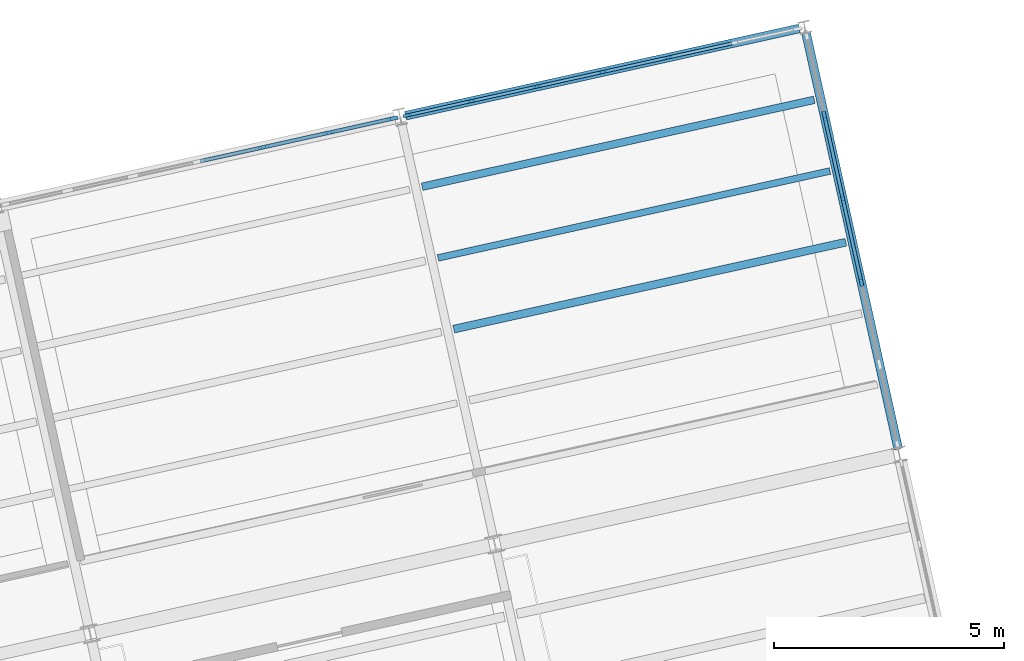
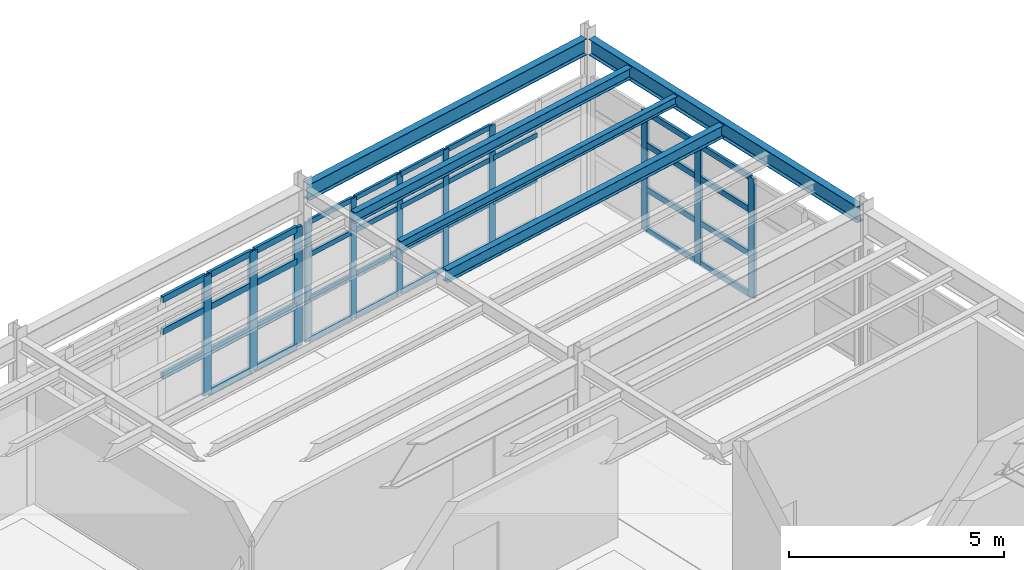
# One storey, part 31 of 59: 49 members, 5 beams, 3 elements without a shape of their own.
"""IFC4 building model written with IfcOpenShell, lengths in metres."""

from ifc_helpers import new_model, si_unit, direction, frame, origin, origin_2d, place, context, subcontext, project, spatial, rectangle, i_section, extrude, material, layer, layer_set, material_profile, profile_set, type_object, element, aggregate, save


model = new_model("IFC4")

# Units and contexts
model_context = context("Model", 3, precision=1e-05, world=origin(), true_north=direction((0.0, 1.0)))
body_context = subcontext(model_context, "Body", "Model", "MODEL_VIEW")
ifc_project = project(units=[si_unit("LENGTHUNIT", "METRE"), si_unit("AREAUNIT", "SQUARE_METRE"), si_unit("VOLUMEUNIT", "CUBIC_METRE"), si_unit("PLANEANGLEUNIT", "RADIAN"), si_unit("MASSUNIT", "GRAM", prefix="KILO")], contexts=[model_context])

# Site, building, storey
site_placement = place(None, origin())
site = spatial("IfcSite", under=ifc_project, at=site_placement, CompositionType="ELEMENT")
building_placement = place(site_placement, origin())
building = spatial("IfcBuilding", under=site, at=building_placement, Name="Vireo Bluff Cable Station", CompositionType="ELEMENT")
storey_placement = place(building_placement, frame((0.0, 0.0, 14.39990234375)))
storey = spatial("IfcBuildingStorey", under=building, at=storey_placement, Name="L03", CompositionType="ELEMENT", Elevation=14.39990234375)

# Curtain wall, members
ifc_material_1 = material(Name="Anodized Aluminium 6063-T6", Category="aluminium")
ifc_layer_1 = layer(ifc_material_1, 0.179931640625, Name="Anodized Aluminium 6063-T6")
ifc_layer_set_1 = layer_set([ifc_layer_1], Name="Anodized Aluminium 6063-T6")
curtain_wall_type_1 = type_object("IfcCurtainWallType", Name="CW-UNIT-1500", PredefinedType="USERDEFINED", material=ifc_layer_set_1)
curtain_wall_1_placement = place(storey_placement, origin())
curtain_wall_1 = element("IfcCurtainWall", 1, at=curtain_wall_1_placement, inside=storey, type_object=curtain_wall_type_1, Name="V2 L03 north curtain wall CW-064", ObjectType="UNITISED CURTAIN WALL", PredefinedType="USERDEFINED")
ifc_material_profile_1 = material_profile(ifc_material_1, rectangle(XDim=0.06494140625, YDim=0.179931640625, at=origin_2d()), Name="ALU-M-65X180")
ifc_profile_set_1 = profile_set([ifc_material_profile_1], Name="Anodized Aluminium 6063-T6")
member_type_1 = type_object("IfcMemberType", Name="CWM-01", PredefinedType="MULLION", material=ifc_profile_set_1)
member_1_placement = place(storey_placement, frame((146.34912109375, 107.703369140625, 0.0), z_axis=(0.0, 0.0, 1.0), x_axis=(-0.216439656264, 0.976295997736, 0.0)))
member_1 = element("IfcMember", 2, at=member_1_placement, type_object=member_type_1, Name="CW-064 mullion 1", PredefinedType="MULLION", context=body_context, shape_type="SweptSolid", body=[
    extrude(rectangle(XDim=0.06494140625, YDim=0.179931640625, at=origin_2d()), origin(), (0.0, 0.0, 1.0), 3.400146484375),
])
member_2_placement = place(storey_placement, frame((147.73974609375, 108.011474609375, 0.0), z_axis=(0.0, 0.0, 1.0), x_axis=(-0.216439656264, 0.976295997736, 0.0)))
member_2 = element("IfcMember", 3, at=member_2_placement, type_object=member_type_1, Name="CW-064 mullion 2", PredefinedType="MULLION", context=body_context, shape_type="SweptSolid", body=[
    extrude(rectangle(XDim=0.06494140625, YDim=0.179931640625, at=origin_2d()), origin(), (0.0, 0.0, 1.0), 3.400146484375),
])
member_3_placement = place(storey_placement, frame((149.161865234375, 108.326904296875, 0.0), z_axis=(0.0, 0.0, 1.0), x_axis=(-0.216439656264, 0.976295997736, 0.0)))
member_3 = element("IfcMember", 4, at=member_3_placement, type_object=member_type_1, Name="CW-064 mullion 3", PredefinedType="MULLION", context=body_context, shape_type="SweptSolid", body=[
    extrude(rectangle(XDim=0.06494140625, YDim=0.179931640625, at=origin_2d()), origin(), (0.0, 0.0, 1.0), 3.400146484375),
])
member_4_placement = place(storey_placement, frame((150.583984375, 108.64208984375, 0.0), z_axis=(0.0, 0.0, 1.0), x_axis=(-0.216439656264, 0.976295997736, 0.0)))
member_4 = element("IfcMember", 5, at=member_4_placement, type_object=member_type_1, Name="CW-064 mullion 4", PredefinedType="MULLION", context=body_context, shape_type="SweptSolid", body=[
    extrude(rectangle(XDim=0.06494140625, YDim=0.179931640625, at=origin_2d()), origin(), (0.0, 0.0, 1.0), 3.400146484375),
])
member_5_placement = place(storey_placement, frame((152.00634765625, 108.95751953125, 0.0), z_axis=(0.0, 0.0, 1.0), x_axis=(-0.216439656264, 0.976295997736, 0.0)))
member_5 = element("IfcMember", 6, at=member_5_placement, type_object=member_type_1, Name="CW-064 mullion 5", PredefinedType="MULLION", context=body_context, shape_type="SweptSolid", body=[
    extrude(rectangle(XDim=0.06494140625, YDim=0.179931640625, at=origin_2d()), origin(), (0.0, 0.0, 1.0), 3.400146484375),
])

ifc_layer_2 = layer(ifc_material_1, 0.159912109375, Name="Anodized Aluminium 6063-T6")
ifc_layer_set_2 = layer_set([ifc_layer_2], Name="Anodized Aluminium 6063-T6")
curtain_wall_type_2 = type_object("IfcCurtainWallType", Name="CW-STICK-1850", PredefinedType="USERDEFINED", material=ifc_layer_set_2)
curtain_wall_2_placement = place(storey_placement, origin())
curtain_wall_2 = element("IfcCurtainWall", 7, at=curtain_wall_2_placement, inside=storey, type_object=curtain_wall_type_2, Name="V2 L03 east curtain wall CW-065", ObjectType="STICK CURTAIN WALL", PredefinedType="USERDEFINED")
ifc_material_profile_2 = material_profile(ifc_material_1, rectangle(XDim=0.074951171875, YDim=0.2099609375, at=origin_2d()), Name="ALU-M-75X210")
ifc_profile_set_2 = profile_set([ifc_material_profile_2], Name="Anodized Aluminium 6063-T6")
member_type_2 = type_object("IfcMemberType", Name="CWM-02", PredefinedType="MULLION", material=ifc_profile_set_2)
member_6_placement = place(storey_placement, frame((155.40576171875, 107.687744140625, 0.0), z_axis=(0.0, 0.0, 1.0), x_axis=(0.97629601826, 0.216439563688, 0.0)))
member_6 = element("IfcMember", 8, at=member_6_placement, type_object=member_type_2, Name="CW-065 mullion 2", PredefinedType="MULLION", context=body_context, shape_type="SweptSolid", body=[
    extrude(rectangle(XDim=0.074951171875, YDim=0.2099609375, at=origin_2d()), origin(), (0.0, 0.0, 1.0), 3.400146484375),
])
member_7_placement = place(storey_placement, frame((155.80419921875, 105.89013671875, 0.0), z_axis=(0.0, 0.0, 1.0), x_axis=(0.97629601826, 0.216439563688, 0.0)))
member_7 = element("IfcMember", 9, at=member_7_placement, type_object=member_type_2, Name="CW-065 mullion 3", PredefinedType="MULLION", context=body_context, shape_type="SweptSolid", body=[
    extrude(rectangle(XDim=0.074951171875, YDim=0.2099609375, at=origin_2d()), origin(), (0.0, 0.0, 1.0), 3.400146484375),
])
member_8_placement = place(storey_placement, frame((156.20263671875, 104.092529296875, 0.0), z_axis=(0.0, 0.0, 1.0), x_axis=(0.97629601826, 0.216439563688, 0.0)))
member_8 = element("IfcMember", 10, at=member_8_placement, type_object=member_type_2, Name="CW-065 mullion 4", PredefinedType="MULLION", context=body_context, shape_type="SweptSolid", body=[
    extrude(rectangle(XDim=0.074951171875, YDim=0.2099609375, at=origin_2d()), origin(), (0.0, 0.0, 1.0), 3.400146484375),
])

ifc_layer_3 = layer(ifc_material_1, 0.179931640625, Name="Anodized Aluminium 6063-T6")
ifc_layer_set_3 = layer_set([ifc_layer_3], Name="Anodized Aluminium 6063-T6")
curtain_wall_type_3 = type_object("IfcCurtainWallType", Name="CW-UNIT-1400", PredefinedType="USERDEFINED", material=ifc_layer_set_3)
curtain_wall_3_placement = place(storey_placement, origin())
curtain_wall_3 = element("IfcCurtainWall", 11, at=curtain_wall_3_placement, inside=storey, type_object=curtain_wall_type_3, Name="V2 L03 north curtain wall CW-063", ObjectType="UNITISED CURTAIN WALL", PredefinedType="USERDEFINED")
ifc_material_profile_3 = material_profile(ifc_material_1, rectangle(XDim=0.080078125, YDim=0.239990234375, at=origin_2d()), Name="ALU-M-80X240")
ifc_profile_set_3 = profile_set([ifc_material_profile_3], Name="Anodized Aluminium 6063-T6")
member_type_3 = type_object("IfcMemberType", Name="CWM-04", PredefinedType="MULLION", material=ifc_profile_set_3)
member_9_placement = place(storey_placement, frame((143.229248046875, 107.011474609375, 0.0), z_axis=(0.0, 0.0, 1.0), x_axis=(-0.216439560519, 0.976296018963, 0.0)))
member_9 = element("IfcMember", 12, at=member_9_placement, type_object=member_type_3, Name="CW-063 mullion 5", PredefinedType="MULLION", context=body_context, shape_type="SweptSolid", body=[
    extrude(rectangle(XDim=0.080078125, YDim=0.239990234375, at=origin_2d()), origin(), (0.0, 0.0, 1.0), 3.400146484375),
])
member_10_placement = place(storey_placement, frame((144.6474609375, 107.325927734375, 0.0), z_axis=(0.0, 0.0, 1.0), x_axis=(-0.216439560519, 0.976296018963, 0.0)))
member_10 = element("IfcMember", 13, at=member_10_placement, type_object=member_type_3, Name="CW-063 mullion 6", PredefinedType="MULLION", context=body_context, shape_type="SweptSolid", body=[
    extrude(rectangle(XDim=0.080078125, YDim=0.239990234375, at=origin_2d()), origin(), (0.0, 0.0, 1.0), 3.400146484375),
])
member_11_placement = place(storey_placement, frame((146.0263671875, 107.6318359375, 0.0), z_axis=(0.0, 0.0, 1.0), x_axis=(-0.216439560519, 0.976296018963, 0.0)))
member_11 = element("IfcMember", 14, at=member_11_placement, type_object=member_type_3, Name="CW-063 mullion 7", PredefinedType="MULLION", context=body_context, shape_type="SweptSolid", body=[
    extrude(rectangle(XDim=0.080078125, YDim=0.239990234375, at=origin_2d()), origin(), (0.0, 0.0, 1.0), 3.400146484375),
])

# Member
ifc_material_profile_4 = material_profile(ifc_material_1, rectangle(XDim=0.06494140625, YDim=0.139892578125, at=origin_2d()), Name="ALU-T-65X140")
ifc_profile_set_4 = profile_set([ifc_material_profile_4], Name="Anodized Aluminium 6063-T6")
member_type_4 = type_object("IfcMemberType", Name="CWT-01", PredefinedType="USERDEFINED", material=ifc_profile_set_4)
member_12_placement = place(storey_placement, frame((146.380859375, 107.710205078125, 0.03271484375), z_axis=(0.976301023446, 0.216416985514, 0.0), x_axis=(-0.216416985514, 0.976301023446, 0.0)))
member_12 = element("IfcMember", 15, at=member_12_placement, type_object=member_type_4, Name="CW-064 transom 1.1", ObjectType="TRANSOM", PredefinedType="USERDEFINED", context=body_context, shape_type="SweptSolid", body=[
    extrude(rectangle(XDim=0.06494140625, YDim=0.139892578125, at=origin_2d()), origin(), (0.0, 0.0, 1.0), 1.359375),
])

member_13_placement = place(storey_placement, frame((146.380859375, 107.710205078125, 1.190185546875), z_axis=(0.976301023446, 0.216416985514, 0.0), x_axis=(-0.216416985514, 0.976301023446, 0.0)))
member_13 = element("IfcMember", 16, at=member_13_placement, type_object=member_type_4, Name="CW-064 transom 1.2", ObjectType="TRANSOM", PredefinedType="USERDEFINED", context=body_context, shape_type="SweptSolid", body=[
    extrude(rectangle(XDim=0.06494140625, YDim=0.139892578125, at=origin_2d()), origin(), (0.0, 0.0, 1.0), 1.359375),
])

member_14_placement = place(storey_placement, frame((146.380859375, 107.710205078125, 2.447998046875), z_axis=(0.976301023446, 0.216416985514, 0.0), x_axis=(-0.216416985514, 0.976301023446, 0.0)))
member_14 = element("IfcMember", 17, at=member_14_placement, type_object=member_type_4, Name="CW-064 transom 1.3", ObjectType="TRANSOM", PredefinedType="USERDEFINED", context=body_context, shape_type="SweptSolid", body=[
    extrude(rectangle(XDim=0.06494140625, YDim=0.139892578125, at=origin_2d()), origin(), (0.0, 0.0, 1.0), 1.359375),
])

member_15_placement = place(storey_placement, frame((146.380859375, 107.710205078125, 3.36767578125), z_axis=(0.976301023446, 0.216416985514, 0.0), x_axis=(-0.216416985514, 0.976301023446, 0.0)))
member_15 = element("IfcMember", 18, at=member_15_placement, type_object=member_type_4, Name="CW-064 transom 1.4", ObjectType="TRANSOM", PredefinedType="USERDEFINED", context=body_context, shape_type="SweptSolid", body=[
    extrude(rectangle(XDim=0.06494140625, YDim=0.139892578125, at=origin_2d()), origin(), (0.0, 0.0, 1.0), 1.359375),
])

member_16_placement = place(storey_placement, frame((147.771240234375, 108.0185546875, 0.03271484375), z_axis=(0.976294246247, 0.21644755657, 0.0), x_axis=(-0.21644755657, 0.976294246247, 0.0)))
member_16 = element("IfcMember", 19, at=member_16_placement, type_object=member_type_4, Name="CW-064 transom 2.1", ObjectType="TRANSOM", PredefinedType="USERDEFINED", context=body_context, shape_type="SweptSolid", body=[
    extrude(rectangle(XDim=0.06494140625, YDim=0.139892578125, at=origin_2d()), origin(), (0.0, 0.0, 1.0), 1.391845703125),
])

member_17_placement = place(storey_placement, frame((147.771240234375, 108.0185546875, 1.190185546875), z_axis=(0.976294246247, 0.21644755657, 0.0), x_axis=(-0.21644755657, 0.976294246247, 0.0)))
member_17 = element("IfcMember", 20, at=member_17_placement, type_object=member_type_4, Name="CW-064 transom 2.2", ObjectType="TRANSOM", PredefinedType="USERDEFINED", context=body_context, shape_type="SweptSolid", body=[
    extrude(rectangle(XDim=0.06494140625, YDim=0.139892578125, at=origin_2d()), origin(), (0.0, 0.0, 1.0), 1.391845703125),
])

member_18_placement = place(storey_placement, frame((147.771240234375, 108.0185546875, 2.447998046875), z_axis=(0.976294246247, 0.21644755657, 0.0), x_axis=(-0.21644755657, 0.976294246247, 0.0)))
member_18 = element("IfcMember", 21, at=member_18_placement, type_object=member_type_4, Name="CW-064 transom 2.3", ObjectType="TRANSOM", PredefinedType="USERDEFINED", context=body_context, shape_type="SweptSolid", body=[
    extrude(rectangle(XDim=0.06494140625, YDim=0.139892578125, at=origin_2d()), origin(), (0.0, 0.0, 1.0), 1.391845703125),
])

member_19_placement = place(storey_placement, frame((147.771240234375, 108.0185546875, 3.36767578125), z_axis=(0.976294246247, 0.21644755657, 0.0), x_axis=(-0.21644755657, 0.976294246247, 0.0)))
member_19 = element("IfcMember", 22, at=member_19_placement, type_object=member_type_4, Name="CW-064 transom 2.4", ObjectType="TRANSOM", PredefinedType="USERDEFINED", context=body_context, shape_type="SweptSolid", body=[
    extrude(rectangle(XDim=0.06494140625, YDim=0.139892578125, at=origin_2d()), origin(), (0.0, 0.0, 1.0), 1.391845703125),
])

member_20_placement = place(storey_placement, frame((149.193603515625, 108.333740234375, 0.03271484375), z_axis=(0.976286026575, 0.216484628355, 0.0), x_axis=(-0.216484628355, 0.976286026575, 0.0)))
member_20 = element("IfcMember", 23, at=member_20_placement, type_object=member_type_4, Name="CW-064 transom 3.1", ObjectType="TRANSOM", PredefinedType="USERDEFINED", context=body_context, shape_type="SweptSolid", body=[
    extrude(rectangle(XDim=0.06494140625, YDim=0.139892578125, at=origin_2d()), origin(), (0.0, 0.0, 1.0), 1.3916015625),
])

member_21_placement = place(storey_placement, frame((149.193603515625, 108.333740234375, 1.190185546875), z_axis=(0.976286026575, 0.216484628355, 0.0), x_axis=(-0.216484628355, 0.976286026575, 0.0)))
member_21 = element("IfcMember", 24, at=member_21_placement, type_object=member_type_4, Name="CW-064 transom 3.2", ObjectType="TRANSOM", PredefinedType="USERDEFINED", context=body_context, shape_type="SweptSolid", body=[
    extrude(rectangle(XDim=0.06494140625, YDim=0.139892578125, at=origin_2d()), origin(), (0.0, 0.0, 1.0), 1.3916015625),
])

member_22_placement = place(storey_placement, frame((149.193603515625, 108.333740234375, 2.447998046875), z_axis=(0.976286026575, 0.216484628355, 0.0), x_axis=(-0.216484628355, 0.976286026575, 0.0)))
member_22 = element("IfcMember", 25, at=member_22_placement, type_object=member_type_4, Name="CW-064 transom 3.3", ObjectType="TRANSOM", PredefinedType="USERDEFINED", context=body_context, shape_type="SweptSolid", body=[
    extrude(rectangle(XDim=0.06494140625, YDim=0.139892578125, at=origin_2d()), origin(), (0.0, 0.0, 1.0), 1.3916015625),
])

member_23_placement = place(storey_placement, frame((149.193603515625, 108.333740234375, 3.36767578125), z_axis=(0.976286026575, 0.216484628355, 0.0), x_axis=(-0.216484628355, 0.976286026575, 0.0)))
member_23 = element("IfcMember", 26, at=member_23_placement, type_object=member_type_4, Name="CW-064 transom 3.4", ObjectType="TRANSOM", PredefinedType="USERDEFINED", context=body_context, shape_type="SweptSolid", body=[
    extrude(rectangle(XDim=0.06494140625, YDim=0.139892578125, at=origin_2d()), origin(), (0.0, 0.0, 1.0), 1.3916015625),
])

member_24_placement = place(storey_placement, frame((150.61572265625, 108.649169921875, 0.03271484375), z_axis=(0.976294246247, 0.21644755657, 0.0), x_axis=(-0.21644755657, 0.976294246247, 0.0)))
member_24 = element("IfcMember", 27, at=member_24_placement, type_object=member_type_4, Name="CW-064 transom 4.1", ObjectType="TRANSOM", PredefinedType="USERDEFINED", context=body_context, shape_type="SweptSolid", body=[
    extrude(rectangle(XDim=0.06494140625, YDim=0.139892578125, at=origin_2d()), origin(), (0.0, 0.0, 1.0), 1.391845703125),
])

member_25_placement = place(storey_placement, frame((150.61572265625, 108.649169921875, 1.190185546875), z_axis=(0.976294246247, 0.21644755657, 0.0), x_axis=(-0.21644755657, 0.976294246247, 0.0)))
member_25 = element("IfcMember", 28, at=member_25_placement, type_object=member_type_4, Name="CW-064 transom 4.2", ObjectType="TRANSOM", PredefinedType="USERDEFINED", context=body_context, shape_type="SweptSolid", body=[
    extrude(rectangle(XDim=0.06494140625, YDim=0.139892578125, at=origin_2d()), origin(), (0.0, 0.0, 1.0), 1.391845703125),
])

member_26_placement = place(storey_placement, frame((150.61572265625, 108.649169921875, 2.447998046875), z_axis=(0.976294246247, 0.21644755657, 0.0), x_axis=(-0.21644755657, 0.976294246247, 0.0)))
member_26 = element("IfcMember", 29, at=member_26_placement, type_object=member_type_4, Name="CW-064 transom 4.3", ObjectType="TRANSOM", PredefinedType="USERDEFINED", context=body_context, shape_type="SweptSolid", body=[
    extrude(rectangle(XDim=0.06494140625, YDim=0.139892578125, at=origin_2d()), origin(), (0.0, 0.0, 1.0), 1.391845703125),
])

member_27_placement = place(storey_placement, frame((150.61572265625, 108.649169921875, 3.36767578125), z_axis=(0.976294246247, 0.21644755657, 0.0), x_axis=(-0.21644755657, 0.976294246247, 0.0)))
member_27 = element("IfcMember", 30, at=member_27_placement, type_object=member_type_4, Name="CW-064 transom 4.4", ObjectType="TRANSOM", PredefinedType="USERDEFINED", context=body_context, shape_type="SweptSolid", body=[
    extrude(rectangle(XDim=0.06494140625, YDim=0.139892578125, at=origin_2d()), origin(), (0.0, 0.0, 1.0), 1.391845703125),
])

member_28_placement = place(storey_placement, frame((152.0380859375, 108.96435546875, 0.03271484375), z_axis=(0.976286026575, 0.216484628355, 0.0), x_axis=(-0.216484628355, 0.976286026575, 0.0)))
member_28 = element("IfcMember", 31, at=member_28_placement, type_object=member_type_4, Name="CW-064 transom 5.1", ObjectType="TRANSOM", PredefinedType="USERDEFINED", context=body_context, shape_type="SweptSolid", body=[
    extrude(rectangle(XDim=0.06494140625, YDim=0.139892578125, at=origin_2d()), origin(), (0.0, 0.0, 1.0), 1.3916015625),
])

member_29_placement = place(storey_placement, frame((152.0380859375, 108.96435546875, 1.190185546875), z_axis=(0.976286026575, 0.216484628355, 0.0), x_axis=(-0.216484628355, 0.976286026575, 0.0)))
member_29 = element("IfcMember", 32, at=member_29_placement, type_object=member_type_4, Name="CW-064 transom 5.2", ObjectType="TRANSOM", PredefinedType="USERDEFINED", context=body_context, shape_type="SweptSolid", body=[
    extrude(rectangle(XDim=0.06494140625, YDim=0.139892578125, at=origin_2d()), origin(), (0.0, 0.0, 1.0), 1.3916015625),
])

member_30_placement = place(storey_placement, frame((152.0380859375, 108.96435546875, 2.447998046875), z_axis=(0.976286026575, 0.216484628355, 0.0), x_axis=(-0.216484628355, 0.976286026575, 0.0)))
member_30 = element("IfcMember", 33, at=member_30_placement, type_object=member_type_4, Name="CW-064 transom 5.3", ObjectType="TRANSOM", PredefinedType="USERDEFINED", context=body_context, shape_type="SweptSolid", body=[
    extrude(rectangle(XDim=0.06494140625, YDim=0.139892578125, at=origin_2d()), origin(), (0.0, 0.0, 1.0), 1.3916015625),
])

aggregate(curtain_wall_1, [member_1, member_2, member_3, member_4, member_5, member_12, member_13, member_14, member_15, member_16, member_17, member_18, member_19, member_20, member_21, member_22, member_23, member_24, member_25, member_26, member_27, member_28, member_29, member_30])

ifc_material_profile_5 = material_profile(ifc_material_1, rectangle(XDim=0.074951171875, YDim=0.159912109375, at=origin_2d()), Name="ALU-T-75X160")
ifc_profile_set_5 = profile_set([ifc_material_profile_5], Name="Anodized Aluminium 6063-T6")
member_type_5 = type_object("IfcMemberType", Name="CWT-02", PredefinedType="USERDEFINED", material=ifc_profile_set_5)
member_31_placement = place(storey_placement, frame((155.413818359375, 107.651123046875, 0.03759765625), z_axis=(0.216462090264, -0.976291023967, 0.0), x_axis=(0.976291023967, 0.216462090264, 0.0)))
member_31 = element("IfcMember", 34, at=member_31_placement, type_object=member_type_5, Name="CW-065 transom 2.1", ObjectType="TRANSOM", PredefinedType="USERDEFINED", context=body_context, shape_type="SweptSolid", body=[
    extrude(rectangle(XDim=0.074951171875, YDim=0.159912109375, at=origin_2d()), origin(), (0.0, 0.0, 1.0), 1.766357421875),
])

member_32_placement = place(storey_placement, frame((155.413818359375, 107.651123046875, 1.190185546875), z_axis=(0.216462090264, -0.976291023967, 0.0), x_axis=(0.976291023967, 0.216462090264, 0.0)))
member_32 = element("IfcMember", 35, at=member_32_placement, type_object=member_type_5, Name="CW-065 transom 2.2", ObjectType="TRANSOM", PredefinedType="USERDEFINED", context=body_context, shape_type="SweptSolid", body=[
    extrude(rectangle(XDim=0.074951171875, YDim=0.159912109375, at=origin_2d()), origin(), (0.0, 0.0, 1.0), 1.766357421875),
])

member_33_placement = place(storey_placement, frame((155.413818359375, 107.651123046875, 2.447998046875), z_axis=(0.216462090264, -0.976291023967, 0.0), x_axis=(0.976291023967, 0.216462090264, 0.0)))
member_33 = element("IfcMember", 36, at=member_33_placement, type_object=member_type_5, Name="CW-065 transom 2.3", ObjectType="TRANSOM", PredefinedType="USERDEFINED", context=body_context, shape_type="SweptSolid", body=[
    extrude(rectangle(XDim=0.074951171875, YDim=0.159912109375, at=origin_2d()), origin(), (0.0, 0.0, 1.0), 1.766357421875),
])

member_34_placement = place(storey_placement, frame((155.413818359375, 107.651123046875, 3.362548828125), z_axis=(0.216462090264, -0.976291023967, 0.0), x_axis=(0.976291023967, 0.216462090264, 0.0)))
member_34 = element("IfcMember", 37, at=member_34_placement, type_object=member_type_5, Name="CW-065 transom 2.4", ObjectType="TRANSOM", PredefinedType="USERDEFINED", context=body_context, shape_type="SweptSolid", body=[
    extrude(rectangle(XDim=0.074951171875, YDim=0.159912109375, at=origin_2d()), origin(), (0.0, 0.0, 1.0), 1.766357421875),
])

member_35_placement = place(storey_placement, frame((155.812255859375, 105.853515625, 0.03759765625), z_axis=(0.216462090264, -0.976291023967, 0.0), x_axis=(0.976291023967, 0.216462090264, 0.0)))
member_35 = element("IfcMember", 38, at=member_35_placement, type_object=member_type_5, Name="CW-065 transom 3.1", ObjectType="TRANSOM", PredefinedType="USERDEFINED", context=body_context, shape_type="SweptSolid", body=[
    extrude(rectangle(XDim=0.074951171875, YDim=0.159912109375, at=origin_2d()), origin(), (0.0, 0.0, 1.0), 1.766357421875),
])

member_36_placement = place(storey_placement, frame((155.812255859375, 105.853515625, 1.190185546875), z_axis=(0.216462090264, -0.976291023967, 0.0), x_axis=(0.976291023967, 0.216462090264, 0.0)))
member_36 = element("IfcMember", 39, at=member_36_placement, type_object=member_type_5, Name="CW-065 transom 3.2", ObjectType="TRANSOM", PredefinedType="USERDEFINED", context=body_context, shape_type="SweptSolid", body=[
    extrude(rectangle(XDim=0.074951171875, YDim=0.159912109375, at=origin_2d()), origin(), (0.0, 0.0, 1.0), 1.766357421875),
])

member_37_placement = place(storey_placement, frame((155.812255859375, 105.853515625, 2.447998046875), z_axis=(0.216462090264, -0.976291023967, 0.0), x_axis=(0.976291023967, 0.216462090264, 0.0)))
member_37 = element("IfcMember", 40, at=member_37_placement, type_object=member_type_5, Name="CW-065 transom 3.3", ObjectType="TRANSOM", PredefinedType="USERDEFINED", context=body_context, shape_type="SweptSolid", body=[
    extrude(rectangle(XDim=0.074951171875, YDim=0.159912109375, at=origin_2d()), origin(), (0.0, 0.0, 1.0), 1.766357421875),
])

member_38_placement = place(storey_placement, frame((155.812255859375, 105.853515625, 3.362548828125), z_axis=(0.216462090264, -0.976291023967, 0.0), x_axis=(0.976291023967, 0.216462090264, 0.0)))
member_38 = element("IfcMember", 41, at=member_38_placement, type_object=member_type_5, Name="CW-065 transom 3.4", ObjectType="TRANSOM", PredefinedType="USERDEFINED", context=body_context, shape_type="SweptSolid", body=[
    extrude(rectangle(XDim=0.074951171875, YDim=0.159912109375, at=origin_2d()), origin(), (0.0, 0.0, 1.0), 1.766357421875),
])

aggregate(curtain_wall_2, [member_6, member_7, member_8, member_31, member_32, member_33, member_34, member_35, member_36, member_37, member_38])

ifc_material_profile_6 = material_profile(ifc_material_1, rectangle(XDim=0.080078125, YDim=0.175048828125, at=origin_2d()), Name="ALU-T-80X175")
ifc_profile_set_6 = profile_set([ifc_material_profile_6], Name="Anodized Aluminium 6063-T6")
member_type_6 = type_object("IfcMemberType", Name="CWT-04", PredefinedType="USERDEFINED", material=ifc_profile_set_6)
member_39_placement = place(storey_placement, frame((141.85009765625, 106.705810546875, 1.190185546875), z_axis=(0.976291572109, 0.21645961801, 0.0), x_axis=(-0.21645961801, 0.976291572109, 0.0)))
member_39 = element("IfcMember", 42, at=member_39_placement, type_object=member_type_6, Name="CW-063 transom 4.2", ObjectType="TRANSOM", PredefinedType="USERDEFINED", context=body_context, shape_type="SweptSolid", body=[
    extrude(rectangle(XDim=0.080078125, YDim=0.175048828125, at=origin_2d()), origin(), (0.0, 0.0, 1.0), 1.37255859375),
])

member_40_placement = place(storey_placement, frame((141.85009765625, 106.705810546875, 2.447998046875), z_axis=(0.976291572109, 0.21645961801, 0.0), x_axis=(-0.21645961801, 0.976291572109, 0.0)))
member_40 = element("IfcMember", 43, at=member_40_placement, type_object=member_type_6, Name="CW-063 transom 4.3", ObjectType="TRANSOM", PredefinedType="USERDEFINED", context=body_context, shape_type="SweptSolid", body=[
    extrude(rectangle(XDim=0.080078125, YDim=0.175048828125, at=origin_2d()), origin(), (0.0, 0.0, 1.0), 1.37255859375),
])

member_41_placement = place(storey_placement, frame((141.85009765625, 106.705810546875, 3.360107421875), z_axis=(0.976291572109, 0.21645961801, 0.0), x_axis=(-0.21645961801, 0.976291572109, 0.0)))
member_41 = element("IfcMember", 44, at=member_41_placement, type_object=member_type_6, Name="CW-063 transom 4.4", ObjectType="TRANSOM", PredefinedType="USERDEFINED", context=body_context, shape_type="SweptSolid", body=[
    extrude(rectangle(XDim=0.080078125, YDim=0.175048828125, at=origin_2d()), origin(), (0.0, 0.0, 1.0), 1.37255859375),
])

member_42_placement = place(storey_placement, frame((143.268310546875, 107.020263671875, 0.0400390625), z_axis=(0.976291572109, 0.21645961801, 0.0), x_axis=(-0.21645961801, 0.976291572109, 0.0)))
member_42 = element("IfcMember", 45, at=member_42_placement, type_object=member_type_6, Name="CW-063 transom 5.1", ObjectType="TRANSOM", PredefinedType="USERDEFINED", context=body_context, shape_type="SweptSolid", body=[
    extrude(rectangle(XDim=0.080078125, YDim=0.175048828125, at=origin_2d()), origin(), (0.0, 0.0, 1.0), 1.37255859375),
])

member_43_placement = place(storey_placement, frame((143.268310546875, 107.020263671875, 1.190185546875), z_axis=(0.976291572109, 0.21645961801, 0.0), x_axis=(-0.21645961801, 0.976291572109, 0.0)))
member_43 = element("IfcMember", 46, at=member_43_placement, type_object=member_type_6, Name="CW-063 transom 5.2", ObjectType="TRANSOM", PredefinedType="USERDEFINED", context=body_context, shape_type="SweptSolid", body=[
    extrude(rectangle(XDim=0.080078125, YDim=0.175048828125, at=origin_2d()), origin(), (0.0, 0.0, 1.0), 1.37255859375),
])

member_44_placement = place(storey_placement, frame((143.268310546875, 107.020263671875, 2.447998046875), z_axis=(0.976291572109, 0.21645961801, 0.0), x_axis=(-0.21645961801, 0.976291572109, 0.0)))
member_44 = element("IfcMember", 47, at=member_44_placement, type_object=member_type_6, Name="CW-063 transom 5.3", ObjectType="TRANSOM", PredefinedType="USERDEFINED", context=body_context, shape_type="SweptSolid", body=[
    extrude(rectangle(XDim=0.080078125, YDim=0.175048828125, at=origin_2d()), origin(), (0.0, 0.0, 1.0), 1.37255859375),
])

member_45_placement = place(storey_placement, frame((143.268310546875, 107.020263671875, 3.360107421875), z_axis=(0.976291572109, 0.21645961801, 0.0), x_axis=(-0.21645961801, 0.976291572109, 0.0)))
member_45 = element("IfcMember", 48, at=member_45_placement, type_object=member_type_6, Name="CW-063 transom 5.4", ObjectType="TRANSOM", PredefinedType="USERDEFINED", context=body_context, shape_type="SweptSolid", body=[
    extrude(rectangle(XDim=0.080078125, YDim=0.175048828125, at=origin_2d()), origin(), (0.0, 0.0, 1.0), 1.37255859375),
])

member_46_placement = place(storey_placement, frame((144.6865234375, 107.334716796875, 0.0400390625), z_axis=(0.976303330994, 0.216406575432, 0.0), x_axis=(-0.216406575432, 0.976303330994, 0.0)))
member_46 = element("IfcMember", 49, at=member_46_placement, type_object=member_type_6, Name="CW-063 transom 6.1", ObjectType="TRANSOM", PredefinedType="USERDEFINED", context=body_context, shape_type="SweptSolid", body=[
    extrude(rectangle(XDim=0.080078125, YDim=0.175048828125, at=origin_2d()), origin(), (0.0, 0.0, 1.0), 1.332275390625),
])

member_47_placement = place(storey_placement, frame((144.6865234375, 107.334716796875, 1.190185546875), z_axis=(0.976303330994, 0.216406575432, 0.0), x_axis=(-0.216406575432, 0.976303330994, 0.0)))
member_47 = element("IfcMember", 50, at=member_47_placement, type_object=member_type_6, Name="CW-063 transom 6.2", ObjectType="TRANSOM", PredefinedType="USERDEFINED", context=body_context, shape_type="SweptSolid", body=[
    extrude(rectangle(XDim=0.080078125, YDim=0.175048828125, at=origin_2d()), origin(), (0.0, 0.0, 1.0), 1.332275390625),
])

member_48_placement = place(storey_placement, frame((144.6865234375, 107.334716796875, 2.447998046875), z_axis=(0.976303330994, 0.216406575432, 0.0), x_axis=(-0.216406575432, 0.976303330994, 0.0)))
member_48 = element("IfcMember", 51, at=member_48_placement, type_object=member_type_6, Name="CW-063 transom 6.3", ObjectType="TRANSOM", PredefinedType="USERDEFINED", context=body_context, shape_type="SweptSolid", body=[
    extrude(rectangle(XDim=0.080078125, YDim=0.175048828125, at=origin_2d()), origin(), (0.0, 0.0, 1.0), 1.332275390625),
])

member_49_placement = place(storey_placement, frame((144.6865234375, 107.334716796875, 3.360107421875), z_axis=(0.976303330994, 0.216406575432, 0.0), x_axis=(-0.216406575432, 0.976303330994, 0.0)))
member_49 = element("IfcMember", 52, at=member_49_placement, type_object=member_type_6, Name="CW-063 transom 6.4", ObjectType="TRANSOM", PredefinedType="USERDEFINED", context=body_context, shape_type="SweptSolid", body=[
    extrude(rectangle(XDim=0.080078125, YDim=0.175048828125, at=origin_2d()), origin(), (0.0, 0.0, 1.0), 1.332275390625),
])

aggregate(curtain_wall_3, [member_9, member_10, member_11, member_39, member_40, member_41, member_42, member_43, member_44, member_45, member_46, member_47, member_48, member_49])

# Beams
ifc_material_2 = material(Name="Steel ASTM A992 Gr. 50", Category="steel")
ifc_material_profile_7 = material_profile(ifc_material_2, i_section(OverallWidth=0.14599609375, OverallDepth=0.259033203125, WebThickness=0.006103515625, FlangeThickness=0.009033203125, FilletRadius=0.009033203125, at=origin_2d()), Name="W10X22")
ifc_profile_set_7 = profile_set([ifc_material_profile_7], Name="Steel ASTM A992 Gr. 50")
beam_type_1 = type_object("IfcBeamType", Name="JST-W10X22", PredefinedType="JOIST", material=ifc_profile_set_7)
beam_1_placement = place(storey_placement, frame((147.013427734375, 104.60693359375, 4.37060546875), z_axis=(0.976294318526, 0.216447230551, 0.0), x_axis=(-0.216447230551, 0.976294318526, 0.0)))
element("IfcBeam", 53, at=beam_1_placement, inside=storey, type_object=beam_type_1, Name="V2 L03 composite joist 602", PredefinedType="JOIST", context=body_context, shape_type="SweptSolid", body=[
    extrude(i_section(OverallWidth=0.14599609375, OverallDepth=0.259033203125, WebThickness=0.006103515625, FlangeThickness=0.009033203125, FilletRadius=0.009033203125, at=origin_2d()), origin(), (0.0, 0.0, 1.0), 8.72021484375),
])
ifc_material_profile_8 = material_profile(ifc_material_2, i_section(OverallWidth=0.1650390625, OverallDepth=0.31005859375, WebThickness=0.005859375, FlangeThickness=0.009765625, FilletRadius=0.010009765625, at=origin_2d()), Name="W12X26")
ifc_profile_set_8 = profile_set([ifc_material_profile_8], Name="Steel ASTM A992 Gr. 50")
beam_type_2 = type_object("IfcBeamType", Name="JST-W12X26", PredefinedType="JOIST", material=ifc_profile_set_8)
beam_2_placement = place(storey_placement, frame((146.6708984375, 106.15283203125, 4.34521484375), z_axis=(0.976298923088, 0.216426460438, 0.0), x_axis=(-0.216426460438, 0.976298923088, 0.0)))
element("IfcBeam", 54, at=beam_2_placement, inside=storey, type_object=beam_type_2, Name="V2 L03 composite joist 603", PredefinedType="JOIST", context=body_context, shape_type="SweptSolid", body=[
    extrude(i_section(OverallWidth=0.1650390625, OverallDepth=0.31005859375, WebThickness=0.005859375, FlangeThickness=0.009765625, FilletRadius=0.010009765625, at=origin_2d()), origin(), (0.0, 0.0, 1.0), 8.719970703125),
])
ifc_material_profile_9 = material_profile(ifc_material_2, i_section(OverallWidth=0.1708984375, OverallDepth=0.35107421875, WebThickness=0.0068359375, FlangeThickness=0.009765625, FilletRadius=0.010009765625, at=origin_2d()), Name="W14X30")
ifc_profile_set_9 = profile_set([ifc_material_profile_9], Name="Steel ASTM A992 Gr. 50")
beam_type_3 = type_object("IfcBeamType", Name="JST-W14X30", PredefinedType="JOIST", material=ifc_profile_set_9)
beam_3_placement = place(storey_placement, frame((147.356201171875, 103.061279296875, 4.32470703125), z_axis=(0.976300234484, 0.216420544652, 0.0), x_axis=(-0.216420544652, 0.976300234484, 0.0)))
element("IfcBeam", 55, at=beam_3_placement, inside=storey, type_object=beam_type_3, Name="V2 L03 composite joist 601", PredefinedType="JOIST", context=body_context, shape_type="SweptSolid", body=[
    extrude(i_section(OverallWidth=0.1708984375, OverallDepth=0.35107421875, WebThickness=0.0068359375, FlangeThickness=0.009765625, FilletRadius=0.010009765625, at=origin_2d()), origin(), (0.0, 0.0, 1.0), 8.719970703125),
])
ifc_material_profile_10 = material_profile(ifc_material_2, i_section(OverallWidth=0.19091796875, OverallDepth=0.45703125, WebThickness=0.009033203125, FlangeThickness=0.014404296875, FilletRadius=0.011962890625, at=origin_2d()), Name="W18X50")
ifc_profile_set_10 = profile_set([ifc_material_profile_10], Name="Steel ASTM A992 Gr. 50")
beam_type_4 = type_object("IfcBeamType", Name="SPN-W18X50", PredefinedType="SPANDREL", material=ifc_profile_set_10)
beam_4_placement = place(storey_placement, frame((146.30859375, 107.6943359375, 4.271484375), z_axis=(0.97629710087, 0.216434680293, 0.0), x_axis=(-0.216434680293, 0.97629710087, 0.0)))
element("IfcBeam", 56, at=beam_4_placement, inside=storey, type_object=beam_type_4, Name="V2 L03 spandrel 572", PredefinedType="SPANDREL", context=body_context, shape_type="SweptSolid", body=[
    extrude(i_section(OverallWidth=0.19091796875, OverallDepth=0.45703125, WebThickness=0.009033203125, FlangeThickness=0.014404296875, FilletRadius=0.011962890625, at=origin_2d()), origin(), (0.0, 0.0, 1.0), 8.760009765625),
])
beam_5_placement = place(storey_placement, frame((157.00830078125, 100.45849609375, 4.271484375), z_axis=(-0.216430734067, 0.976297975698, 0.0), x_axis=(-0.976297975698, -0.216430734067, 0.0)))
element("IfcBeam", 57, at=beam_5_placement, inside=storey, type_object=beam_type_4, Name="V2 L03 spandrel 580", PredefinedType="SPANDREL", context=body_context, shape_type="SweptSolid", body=[
    extrude(i_section(OverallWidth=0.19091796875, OverallDepth=0.45703125, WebThickness=0.009033203125, FlangeThickness=0.014404296875, FilletRadius=0.011962890625, at=origin_2d()), origin(), (0.0, 0.0, 1.0), 9.260009765625),
])

save(model, "model.ifc")
